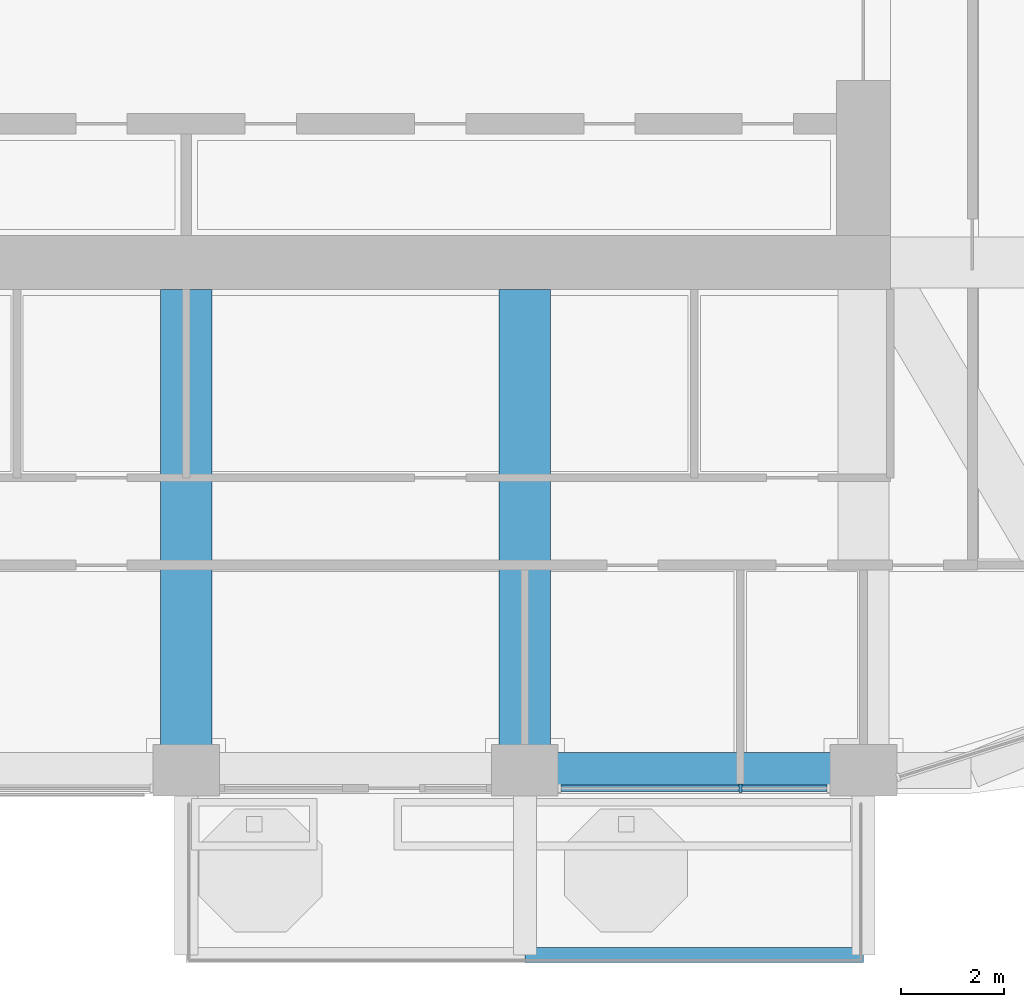
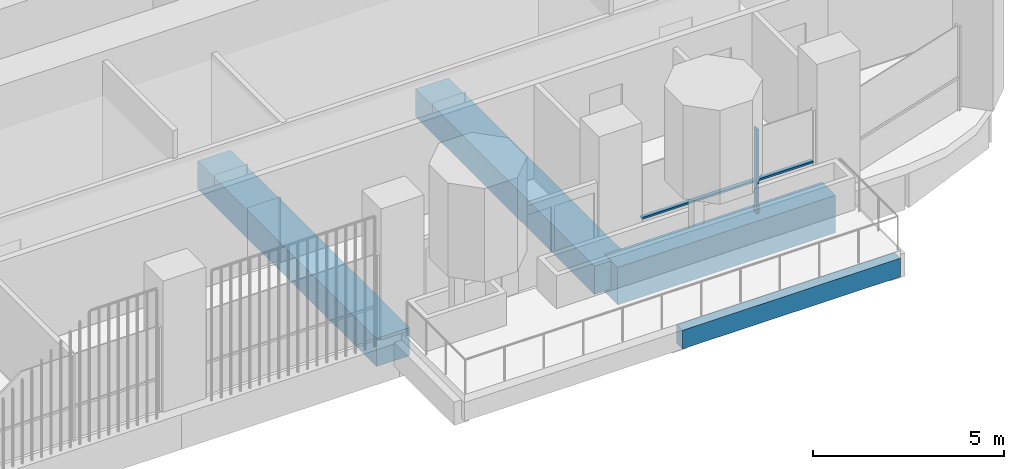
# One storey, part 3 of 20: 4 beams, 3 members, 1 element without a shape of its own.
"""IFC4 building model written with IfcOpenShell, lengths in metres."""

from ifc_helpers import new_model, si_unit, direction, frame, origin, origin_2d, place, context, subcontext, project, spatial, rectangle, extrude, material, material_profile, profile_set, type_object, element, aggregate, save


model = new_model("IFC4")

# Units and contexts
model_context = context("Model", 3, precision=1e-05, world=origin(), true_north=direction((0.0, 1.0)))
body_context = subcontext(model_context, "Body", "Model", "MODEL_VIEW")
ifc_project = project(units=[si_unit("LENGTHUNIT", "METRE"), si_unit("AREAUNIT", "SQUARE_METRE"), si_unit("VOLUMEUNIT", "CUBIC_METRE"), si_unit("PLANEANGLEUNIT", "RADIAN"), si_unit("MASSUNIT", "GRAM", prefix="KILO")], contexts=[model_context])

# Site, building, storey
site_placement = place(None, origin())
site = spatial("IfcSite", under=ifc_project, at=site_placement, CompositionType="ELEMENT")
building_placement = place(site_placement, origin())
building = spatial("IfcBuilding", under=site, at=building_placement, Name="Cobogo Forest Laboratory Tower", CompositionType="ELEMENT")
storey_placement = place(building_placement, frame((0.0, 0.0, 233.39990234375)))
storey = spatial("IfcBuildingStorey", under=building, at=storey_placement, Name="L53", CompositionType="ELEMENT", Elevation=233.39990234375)

# Beam
ifc_material_1 = material(Name="Concrete HA-40 (C40/50)", Category="concrete")
ifc_material_profile_1 = material_profile(ifc_material_1, rectangle(XDim=0.300048828125, YDim=0.60009765625, at=origin_2d()), Name="RC 300x600")
ifc_profile_set_1 = profile_set([ifc_material_profile_1], Name="Concrete HA-40 (C40/50)")
beam_type_1 = type_object("IfcBeamType", Name="Balcony edge beam 300x600", PredefinedType="BEAM", material=ifc_profile_set_1)
beam_1_placement = place(storey_placement, frame((33.0, -0.300048828125, -0.5498046875), z_axis=(1.0, 0.0, 0.0), x_axis=(0.0, 1.0, 0.0)))
element("IfcBeam", 1, at=beam_1_placement, inside=storey, type_object=beam_type_1, Name="BB1 BAL-S1-T2 L53", PredefinedType="BEAM", context=body_context, shape_type="SweptSolid", body=[
    extrude(rectangle(XDim=0.300048828125, YDim=0.60009765625, at=origin_2d()), origin(), (0.0, 0.0, 1.0), 6.60009765625),
])

# Curtain wall, member
ifc_material_2 = material(Name="Aluminium curtain wall", Category="aluminium")
curtain_wall_type = type_object("IfcCurtainWallType", Name="CW-2 unitised curtain wall, solar control glazing, laboratory floors zones C and D", PredefinedType="USERDEFINED", material=ifc_material_2)
curtain_wall_placement = place(storey_placement, origin())
curtain_wall = element("IfcCurtainWall", 2, at=curtain_wall_placement, inside=storey, type_object=curtain_wall_type, Name="Curtain wall 04 L53", ObjectType="UNITISED CURTAIN WALL", PredefinedType="USERDEFINED")
ifc_material_3 = material(Name="Aluminium mullion", Category="aluminium")
ifc_material_profile_2 = material_profile(ifc_material_3, rectangle(XDim=0.06005859375, YDim=0.159912109375, at=origin_2d()), Name="AL 60x160")
ifc_profile_set_2 = profile_set([ifc_material_profile_2], Name="Aluminium mullion")
member_type_1 = type_object("IfcMemberType", Name="MU-1 aluminium mullion 60x160", PredefinedType="MULLION", material=ifc_profile_set_2)
member_1_placement = place(storey_placement, frame((37.199951171875, 2.949951171875, 0.0), z_axis=(0.0, 0.0, 1.0), x_axis=(1.0, 0.0, 0.0)))
member_1 = element("IfcMember", 3, at=member_1_placement, type_object=member_type_1, Name="CW-2 mullion 2", PredefinedType="MULLION", context=body_context, shape_type="SweptSolid", body=[
    extrude(rectangle(XDim=0.06005859375, YDim=0.159912109375, at=origin_2d()), origin(), (0.0, 0.0, 1.0), 2.7001953125),
])

# Beams
ifc_material_profile_3 = material_profile(ifc_material_1, rectangle(XDim=1.0, YDim=0.89990234375, at=origin_2d()), Name="RC 1000x900")
ifc_profile_set_3 = profile_set([ifc_material_profile_3], Name="Concrete HA-40 (C40/50)")
beam_type_2 = type_object("IfcBeamType", Name="Office floor wide beam 1000x900", PredefinedType="BEAM", material=ifc_profile_set_3)
for number, where, z_axis, x_axis, name in (
    (4, (26.39990234375, 12.675048828125, -0.75), (0.0, -1.0, 0.0), (1.0, 0.0, 0.0), "RB2 R-5-S L53"),
    (5, (33.0, 12.675048828125, -0.75), (0.0, -1.0, 0.0), (1.0, 0.0, 0.0), "RB2 R-6-S L53"),
):
    element("IfcBeam", number, at=place(storey_placement, frame(where, z_axis=z_axis, x_axis=x_axis)), inside=storey, type_object=beam_type_2, Name=name, PredefinedType="BEAM", context=body_context, shape_type="SweptSolid", body=[
        extrude(rectangle(XDim=1.0, YDim=0.89990234375, at=origin_2d()), origin(), (0.0, 0.0, 1.0), 9.375),
    ])
ifc_material_profile_4 = material_profile(ifc_material_1, rectangle(XDim=0.699951171875, YDim=1.199951171875, at=origin_2d()), Name="RC 700x1200")
ifc_profile_set_4 = profile_set([ifc_material_profile_4], Name="Concrete HA-40 (C40/50)")
beam_type_3 = type_object("IfcBeamType", Name="Perimeter edge beam 700x1200", PredefinedType="BEAM", material=ifc_profile_set_4)
beam_2_placement = place(storey_placement, frame((33.0, 3.300048828125, -0.89990234375), z_axis=(1.0, 0.0, 0.0), x_axis=(0.0, 1.0, 0.0)))
element("IfcBeam", 6, at=beam_2_placement, inside=storey, type_object=beam_type_3, Name="EB1 E-S4 L53", PredefinedType="BEAM", context=body_context, shape_type="SweptSolid", body=[
    extrude(rectangle(XDim=0.699951171875, YDim=1.199951171875, at=origin_2d()), origin(), (0.0, 0.0, 1.0), 6.60009765625),
])

# Member
ifc_material_4 = material(Name="Aluminium transom", Category="aluminium")
ifc_material_profile_5 = material_profile(ifc_material_4, rectangle(XDim=0.1201171875, YDim=0.06005859375, at=origin_2d()), Name="AL 60x120")
ifc_profile_set_5 = profile_set([ifc_material_profile_5], Name="Aluminium transom")
member_type_2 = type_object("IfcMemberType", Name="TR-1 aluminium transom 60x120", PredefinedType="USERDEFINED", material=ifc_profile_set_5)
member_2_placement = place(storey_placement, frame((33.7099609375, 2.949951171875, 1.050048828125), z_axis=(1.0, 0.0, 0.0), x_axis=(0.0, 1.0, 0.0)))
member_2 = element("IfcMember", 7, at=member_2_placement, type_object=member_type_2, Name="CW-2 transom 1.1", ObjectType="TRANSOM", PredefinedType="USERDEFINED", context=body_context, shape_type="SweptSolid", body=[
    extrude(rectangle(XDim=0.1201171875, YDim=0.06005859375, at=origin_2d()), origin(), (0.0, 0.0, 1.0), 3.4599609375),
])

member_3_placement = place(storey_placement, frame((37.22998046875, 2.949951171875, 1.050048828125), z_axis=(1.0, 0.0, 0.0), x_axis=(0.0, 1.0, 0.0)))
member_3 = element("IfcMember", 8, at=member_3_placement, type_object=member_type_2, Name="CW-2 transom 2.1", ObjectType="TRANSOM", PredefinedType="USERDEFINED", context=body_context, shape_type="SweptSolid", body=[
    extrude(rectangle(XDim=0.1201171875, YDim=0.06005859375, at=origin_2d()), origin(), (0.0, 0.0, 1.0), 1.659912109375),
])

aggregate(curtain_wall, [member_1, member_2, member_3])

save(model, "model.ifc")
